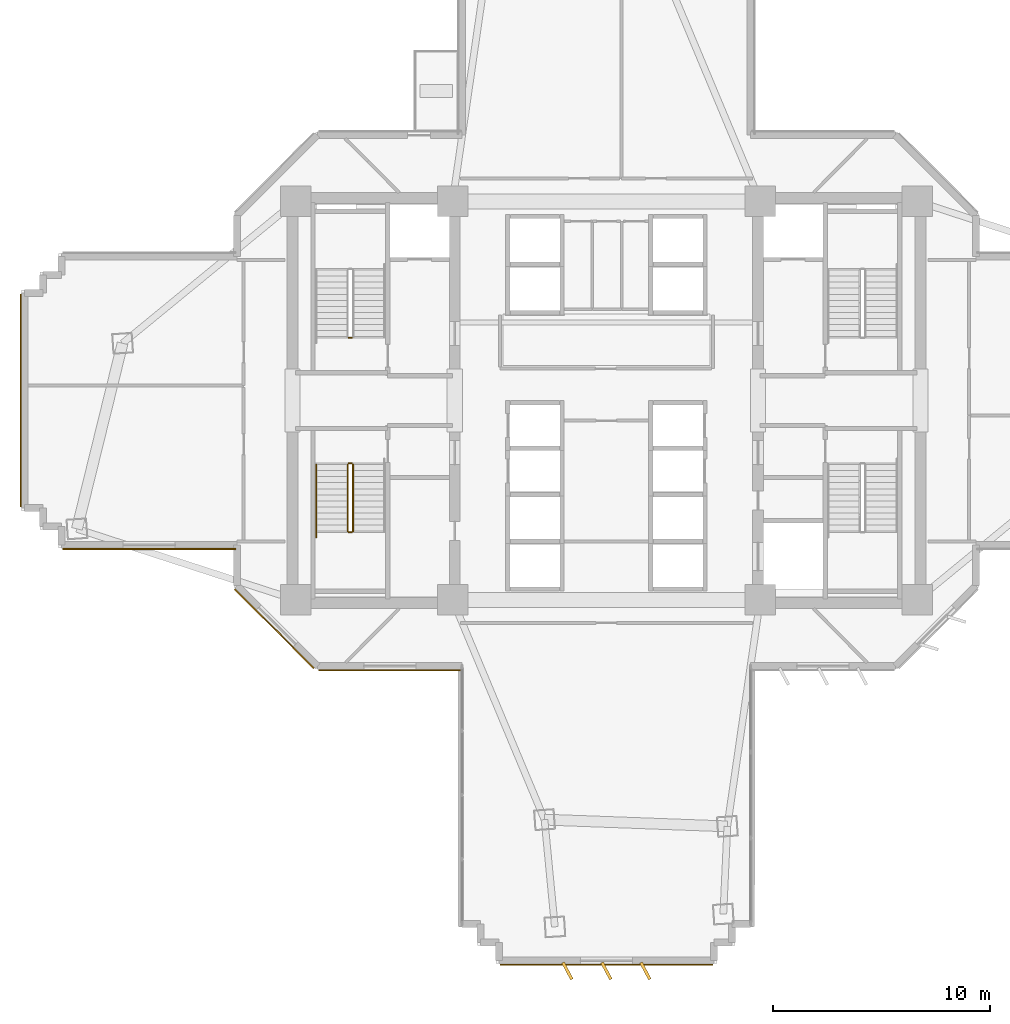
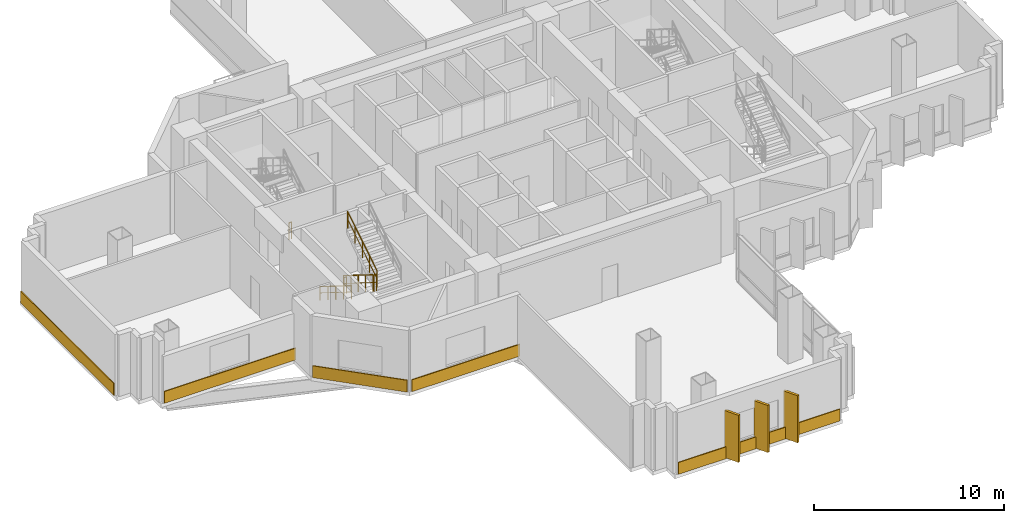
# One storey, part 10 of 14: 6 railings, 5 coverings, 3 shading devices.
"""IFC4 building model written with IfcOpenShell, lengths in metres."""

import ifcopenshell
import ifcopenshell.guid

model = None  # the IFC model being written
_history = None  # IfcOwnerHistory: only IFC2X3 demands one
_inside = {}  # id of a spatial element -> (the spatial element, [elements in it])
_under = {}  # id of a project, library or spatial element -> (it, [spatial elements below it])
_declared = {}  # id of a project -> (the project, [libraries it declares])
_typed = {}  # id of a type object -> (the type object, [elements of that type])
_made_of = {}  # id of a material, layer set ... -> (it, [elements and type objects made of it])


def new_model(schema):
    """Start an empty IFC model of exactly this schema.

    Asked for "IFC4X3", IfcOpenShell would pick the latest addendum, in which some entities
    have other attributes; the version numbers below select the first issue.
    IFC2X3 requires an IfcOwnerHistory on every rooted entity: one is made here for all.
    """
    global model, _history
    if schema == "IFC4X3":
        model = ifcopenshell.file(schema_version=(4, 3, 0, 0))
    else:
        model = ifcopenshell.file(schema=schema)
    _inside.clear()
    _under.clear()
    _declared.clear()
    _typed.clear()
    _made_of.clear()
    _history = None
    if model.schema == "IFC2X3":
        org = make("IfcOrganization", Name="unknown")
        user = make(
            "IfcPersonAndOrganization",
            ThePerson=make("IfcPerson", FamilyName="unknown"),
            TheOrganization=org,
        )
        app = make(
            "IfcApplication",
            ApplicationDeveloper=org,
            Version="unknown",
            ApplicationFullName="unknown",
            ApplicationIdentifier="unknown",
        )
        _history = make(
            "IfcOwnerHistory",
            OwningUser=user,
            OwningApplication=app,
            ChangeAction="ADDED",
            CreationDate=0,
        )
    return model


def make(cls, **values):
    """One entity of the class cls with the attributes given. An attribute that is None is left unset."""
    return model.create_entity(
        cls, **{name: value for name, value in values.items() if value is not None}
    )


def rooted(cls, **values):
    """An entity with a GlobalId (a new one), such as an element, a storey or a relation."""
    return make(cls, GlobalId=ifcopenshell.guid.new(), OwnerHistory=_history, **values)


def si_unit(unit_type, name, prefix=None):
    """IfcSIUnit, for example si_unit("LENGTHUNIT", "METRE", prefix="MILLI")."""
    return make("IfcSIUnit", UnitType=unit_type, Prefix=prefix, Name=name)


def assignment(units):
    """IfcUnitAssignment: the units of a project."""
    return None if units is None else make("IfcUnitAssignment", Units=units)


def point(xyz):
    """IfcCartesianPoint."""
    return None if xyz is None else make("IfcCartesianPoint", Coordinates=xyz)


def direction(xyz):
    """IfcDirection."""
    return None if xyz is None else make("IfcDirection", DirectionRatios=xyz)


def frame(location, z_axis=None, x_axis=None):
    """IfcAxis2Placement3D, a coordinate frame: its origin and axes. An axis left out is left unset."""
    return make(
        "IfcAxis2Placement3D",
        Location=point(location),
        Axis=direction(z_axis),
        RefDirection=direction(x_axis),
    )


def frame_2d(location, x_axis=None):
    """IfcAxis2Placement2D, a coordinate frame in the plane: its origin and x axis."""
    return make(
        "IfcAxis2Placement2D", Location=point(location), RefDirection=direction(x_axis)
    )


def origin():
    """The frame at (0, 0, 0) with its axes left unset."""
    return frame((0.0, 0.0, 0.0))


def origin_2d():
    """The frame at (0, 0) in the plane with its x axis left unset."""
    return frame_2d((0.0, 0.0))


def place(relative_to, where):
    """IfcLocalPlacement: puts the frame where relative to a parent placement (None: the world)."""
    return make(
        "IfcLocalPlacement", PlacementRelTo=relative_to, RelativePlacement=where
    )


def context(
    kind, dimensions, precision=None, world=None, true_north=None, identifier=None
):
    """IfcGeometricRepresentationContext, for example the 3D "Model" context."""
    return make(
        "IfcGeometricRepresentationContext",
        ContextIdentifier=identifier,
        ContextType=kind,
        CoordinateSpaceDimension=dimensions,
        Precision=precision,
        WorldCoordinateSystem=world,
        TrueNorth=true_north,
    )


def subcontext(parent, identifier, kind, view, scale=None):
    """IfcGeometricRepresentationSubContext, for example "Body" below "Model"."""
    return make(
        "IfcGeometricRepresentationSubContext",
        ContextIdentifier=identifier,
        ContextType=kind,
        ParentContext=parent,
        TargetScale=scale,
        TargetView=view,
    )


def project(units=None, contexts=None):
    """IfcProject with its units and contexts."""
    return rooted(
        "IfcProject",
        Name="project",
        RepresentationContexts=contexts,
        UnitsInContext=assignment(units),
    )


def spatial(cls, under=None, at=None, **own):
    """A site, building, storey or space (cls), placed at a placement, below another one or the project."""
    s = rooted(cls, ObjectPlacement=at, **own)
    if under is not None:
        _under.setdefault(under.id(), (under, []))[1].append(s)
    return s


def profile(cls, at=None, kind="AREA", **sizes):
    """A parametric profile (cls). Its sizes go by their IFC names, for example OverallWidth=200.0."""
    return make(cls, ProfileType=kind, Position=at, **sizes)


def rectangle(**sizes):
    """IfcRectangleProfileDef."""
    return profile("IfcRectangleProfileDef", **sizes)


def extrude(swept, where, along, depth):
    """IfcExtrudedAreaSolid: the profile swept, set in the frame where, extruded along a direction by depth."""
    return make(
        "IfcExtrudedAreaSolid",
        SweptArea=swept,
        Position=where,
        ExtrudedDirection=direction(along),
        Depth=depth,
    )


def shape(context_of_items, identifier, shape_type, items):
    """IfcShapeRepresentation: the items that make up one representation, for example the "Body"."""
    return make(
        "IfcShapeRepresentation",
        ContextOfItems=context_of_items,
        RepresentationIdentifier=identifier,
        RepresentationType=shape_type,
        Items=items,
    )


def source(mapping_origin, context_of_items, identifier, shape_type, items):
    """IfcRepresentationMap: a shape defined once, which mapped items show again and again."""
    return make(
        "IfcRepresentationMap",
        MappingOrigin=mapping_origin,
        MappedRepresentation=shape(context_of_items, identifier, shape_type, items),
    )


def transform(
    local_origin,
    x_axis=None,
    y_axis=None,
    z_axis=None,
    scale=None,
    scale2=None,
    scale3=None,
    uniform=True,
):
    """IfcCartesianTransformationOperator3D, or its non-uniform kind. x_axis, y_axis, z_axis: its Axis1, 2, 3."""
    if uniform:
        return make(
            "IfcCartesianTransformationOperator3D",
            Axis1=direction(x_axis),
            Axis2=direction(y_axis),
            LocalOrigin=point(local_origin),
            Scale=scale,
            Axis3=direction(z_axis),
        )
    return make(
        "IfcCartesianTransformationOperator3DnonUniform",
        Axis1=direction(x_axis),
        Axis2=direction(y_axis),
        LocalOrigin=point(local_origin),
        Scale=scale,
        Axis3=direction(z_axis),
        Scale2=scale2,
        Scale3=scale3,
    )


def mapped(mapping_source, mapping_target):
    """IfcMappedItem: shows the shape of a source again, moved by a transform."""
    return make(
        "IfcMappedItem", MappingSource=mapping_source, MappingTarget=mapping_target
    )


def material(Name=None, Category=None):
    """IfcMaterial."""
    return make("IfcMaterial", Name=Name, Category=Category)


def layer(
    of_material, thickness, ventilated=None, Name=None, Category=None, Priority=None
):
    """IfcMaterialLayer: one layer of a wall or slab, of a material (None: an air gap)."""
    return make(
        "IfcMaterialLayer",
        Material=of_material,
        LayerThickness=thickness,
        IsVentilated=ventilated,
        Name=Name,
        Category=Category,
        Priority=Priority,
    )


def layer_set(layers, Name=None):
    """IfcMaterialLayerSet."""
    return make("IfcMaterialLayerSet", MaterialLayers=layers, LayerSetName=Name)


def made_of(thing, what):
    """Note that an element or type object is made of a material, layer set ...; save() writes the relation."""
    if what is not None:
        _made_of.setdefault(what.id(), (what, []))[1].append(thing)
    return thing


def type_object(cls, material=None, **own):
    """A type object (cls), such as IfcWallType, which elements share."""
    return made_of(rooted(cls, **own), material)


def element(
    cls,
    number,
    at=None,
    inside=None,
    cuts=None,
    type_object=None,
    material=None,
    context=None,
    identifier="Body",
    shape_type=None,
    held_by="IfcProductDefinitionShape",
    body=None,
    shapes=None,
    **own,
):
    """One element of the class cls, such as IfcWall. Its Tag is "e" and its number.

    at: its placement. inside: the storey or other place that contains it. cuts: it is an
    opening in that element (IfcRelVoidsElement). A single representation is given by context,
    identifier, shape_type and body (its items); several are given by shapes. held_by: the class
    of the entity that holds the representations. save() writes the other relations.
    """
    e = rooted(cls, Tag="e%d" % number, ObjectPlacement=at, **own)
    if body is not None:
        shapes = [shape(context, identifier, shape_type, body)]
    if shapes is not None:
        e.Representation = make(held_by, Representations=shapes)
    if inside is not None:
        _inside.setdefault(inside.id(), (inside, []))[1].append(e)
    if cuts is not None:
        rooted(
            "IfcRelVoidsElement", RelatingBuildingElement=cuts, RelatedOpeningElement=e
        )
    if type_object is not None:
        _typed.setdefault(type_object.id(), (type_object, []))[1].append(e)
    return made_of(e, material)


def aggregate(whole, parts):
    """IfcRelAggregates: a whole, such as a stair, and the parts it consists of."""
    return rooted("IfcRelAggregates", RelatingObject=whole, RelatedObjects=parts)


def save(model, path):
    """Write the relations noted so far, then the file.

    IfcRelAggregates (storeys below a building ...), IfcRelContainedInSpatialStructure (elements
    in a storey), IfcRelDefinesByType, IfcRelAssociatesMaterial and IfcRelDeclares: one each for
    every whole, place, type object, material and project.
    """
    for whole, parts in _under.values():
        aggregate(whole, parts)
    for where, things in _inside.values():
        rooted(
            "IfcRelContainedInSpatialStructure",
            RelatedElements=things,
            RelatingStructure=where,
        )
    for kind, things in _typed.values():
        rooted("IfcRelDefinesByType", RelatedObjects=things, RelatingType=kind)
    for what, things in _made_of.values():
        rooted("IfcRelAssociatesMaterial", RelatedObjects=things, RelatingMaterial=what)
    for by, libraries in _declared.values():
        rooted("IfcRelDeclares", RelatingContext=by, RelatedDefinitions=libraries)
    model.write(path)


model = new_model("IFC4")

# Units and contexts
model_context = context("Model", 3, precision=1e-05, world=origin(), true_north=direction((0.0, 1.0)))
body_context = subcontext(model_context, "Body", "Model", "MODEL_VIEW")
ifc_project = project(units=[si_unit("LENGTHUNIT", "METRE"), si_unit("AREAUNIT", "SQUARE_METRE"), si_unit("VOLUMEUNIT", "CUBIC_METRE"), si_unit("PLANEANGLEUNIT", "RADIAN"), si_unit("MASSUNIT", "GRAM", prefix="KILO")], contexts=[model_context])

# Site, building, storey
site_placement = place(None, origin())
site = spatial("IfcSite", under=ifc_project, at=site_placement, CompositionType="ELEMENT")
building_placement = place(site_placement, origin())
building = spatial("IfcBuilding", under=site, at=building_placement, Name="Zahravan Cultural Tower", CompositionType="ELEMENT")
storey_placement = place(building_placement, frame((0.0, 0.0, 33.300048828125)))
storey = spatial("IfcBuildingStorey", under=building, at=storey_placement, Name="L06", CompositionType="ELEMENT", Elevation=33.300048828125)

# Railings
ifc_material_1 = material(Name="Steel ASTM A572 Grade 50", Category="steel")
railing_type_1 = type_object("IfcRailingType", Name="RL-STAIR-GRD1150", PredefinedType="BALUSTRADE", material=ifc_material_1)
railing_1_placement = place(storey_placement, frame((24.25, 29.89990234375, 0.0)))
element("IfcRailing", 1, at=railing_1_placement, inside=storey, type_object=railing_type_1, Name="L06 ST-W1 stair guard 4", PredefinedType="BALUSTRADE", context=body_context, shape_type="SweptSolid", body=[
    extrude(rectangle(XDim=0.05, YDim=0.05, at=origin_2d()), frame((0.0, 0.0, 1.0751953125), z_axis=(-1.0, 0.0, 0.0), x_axis=(0.0, -1.0, 0.0)), (0.0, 0.0, 1.0), 0.14990234375),
    extrude(rectangle(XDim=0.032, YDim=0.032, at=origin_2d()), frame((0.0, 0.0, 0.572021484375), z_axis=(-1.0, 0.0, 0.0), x_axis=(0.0, -1.0, 0.0)), (0.0, 0.0, 1.0), 0.14990234375),
    extrude(rectangle(XDim=0.04, YDim=0.04, at=origin_2d()), origin(), (0.0, 0.0, 1.0), 1.10009765625),
    extrude(rectangle(XDim=0.04, YDim=0.04, at=origin_2d()), frame((-0.14990234375, 0.0, 0.0)), (0.0, 0.0, 1.0), 1.10009765625),
])
railing_2_placement = place(storey_placement, frame((24.050048828125, 24.050048828125, 0.175048828125)))
element("IfcRailing", 2, at=railing_2_placement, inside=storey, type_object=railing_type_1, Name="L06 ST-W2 stair guard 1", PredefinedType="BALUSTRADE", context=body_context, shape_type="SweptSolid", body=[
    extrude(rectangle(XDim=0.05, YDim=0.05, at=origin_2d()), frame((0.0, 0.0, 1.0751953125), z_axis=(0.0, -0.848028513186, 0.529950602248), x_axis=(1.0, 0.0, 0.0)), (0.0, 0.0, 1.0), 3.632080078125),
    extrude(rectangle(XDim=0.032, YDim=0.032, at=origin_2d()), frame((0.0, 0.0, 0.572021484375), z_axis=(0.0, -0.848028513186, 0.529950602248), x_axis=(1.0, 0.0, 0.0)), (0.0, 0.0, 1.0), 3.632080078125),
    extrude(rectangle(XDim=0.04, YDim=0.04, at=origin_2d()), origin(), (0.0, 0.0, 1.0), 1.10009765625),
    extrude(rectangle(XDim=0.04, YDim=0.04, at=origin_2d()), frame((0.0, -0.77001953125, 0.481201171875)), (0.0, 0.0, 1.0), 1.10009765625),
    extrude(rectangle(XDim=0.04, YDim=0.04, at=origin_2d()), frame((0.0, -1.5400390625, 0.96240234375)), (0.0, 0.0, 1.0), 1.10009765625),
    extrude(rectangle(XDim=0.04, YDim=0.04, at=origin_2d()), frame((0.0, -2.31005859375, 1.443603515625)), (0.0, 0.0, 1.0), 1.10009765625),
    extrude(rectangle(XDim=0.04, YDim=0.04, at=origin_2d()), frame((0.0, -3.080078125, 1.9248046875)), (0.0, 0.0, 1.0), 1.10009765625),
])
railing_3_placement = place(storey_placement, frame((24.10009765625, 20.919921875, 2.099853515625)))
element("IfcRailing", 3, at=railing_3_placement, inside=storey, type_object=railing_type_1, Name="L06 ST-W2 stair guard 2", PredefinedType="BALUSTRADE", context=body_context, shape_type="SweptSolid", body=[
    extrude(rectangle(XDim=0.05, YDim=0.05, at=origin_2d()), frame((0.0, 0.0, 1.0751953125), z_axis=(1.0, 0.0, 0.0), x_axis=(0.0, 1.0, 0.0)), (0.0, 0.0, 1.0), 0.14990234375),
    extrude(rectangle(XDim=0.032, YDim=0.032, at=origin_2d()), frame((0.0, 0.0, 0.572021484375), z_axis=(1.0, 0.0, 0.0), x_axis=(0.0, 1.0, 0.0)), (0.0, 0.0, 1.0), 0.14990234375),
    extrude(rectangle(XDim=0.04, YDim=0.04, at=origin_2d()), origin(), (0.0, 0.0, 1.0), 1.10009765625),
    extrude(rectangle(XDim=0.04, YDim=0.04, at=origin_2d()), frame((0.14990234375, 0.0, 0.0)), (0.0, 0.0, 1.0), 1.10009765625),
])
railing_4_placement = place(storey_placement, frame((24.300048828125, 20.969970703125, 2.27490234375)))
element("IfcRailing", 4, at=railing_4_placement, inside=storey, type_object=railing_type_1, Name="L06 ST-W2 stair guard 3", PredefinedType="BALUSTRADE", context=body_context, shape_type="SweptSolid", body=[
    extrude(rectangle(XDim=0.05, YDim=0.05, at=origin_2d()), frame((0.0, 0.0, 1.0751953125), z_axis=(0.0, 0.847998304005, 0.529998940003), x_axis=(-1.0, 0.0, 0.0)), (0.0, 0.0, 1.0), 3.632080078125),
    extrude(rectangle(XDim=0.032, YDim=0.032, at=origin_2d()), frame((0.0, 0.0, 0.572021484375), z_axis=(0.0, 0.847998304005, 0.529998940003), x_axis=(-1.0, 0.0, 0.0)), (0.0, 0.0, 1.0), 3.632080078125),
    extrude(rectangle(XDim=0.04, YDim=0.04, at=origin_2d()), origin(), (0.0, 0.0, 1.0), 1.10009765625),
    extrude(rectangle(XDim=0.04, YDim=0.04, at=origin_2d()), frame((0.0, 0.77001953125, 0.481201171875)), (0.0, 0.0, 1.0), 1.10009765625),
    extrude(rectangle(XDim=0.04, YDim=0.04, at=origin_2d()), frame((0.0, 1.5400390625, 0.96240234375)), (0.0, 0.0, 1.0), 1.10009765625),
    extrude(rectangle(XDim=0.04, YDim=0.04, at=origin_2d()), frame((0.0, 2.31005859375, 1.44384765625)), (0.0, 0.0, 1.0), 1.10009765625),
    extrude(rectangle(XDim=0.04, YDim=0.04, at=origin_2d()), frame((0.0, 3.080078125, 1.925048828125)), (0.0, 0.0, 1.0), 1.10009765625),
])
railing_5_placement = place(storey_placement, frame((24.10009765625, 24.10009765625, 0.0)))
element("IfcRailing", 5, at=railing_5_placement, inside=storey, type_object=railing_type_1, Name="L06 ST-W2 stair guard 4", PredefinedType="BALUSTRADE", context=body_context, shape_type="SweptSolid", body=[
    extrude(rectangle(XDim=0.05, YDim=0.05, at=origin_2d()), frame((0.0, 0.0, 1.0751953125), z_axis=(1.0, 0.0, 0.0), x_axis=(0.0, 1.0, 0.0)), (0.0, 0.0, 1.0), 0.14990234375),
    extrude(rectangle(XDim=0.032, YDim=0.032, at=origin_2d()), frame((0.0, 0.0, 0.572021484375), z_axis=(1.0, 0.0, 0.0), x_axis=(0.0, 1.0, 0.0)), (0.0, 0.0, 1.0), 0.14990234375),
    extrude(rectangle(XDim=0.04, YDim=0.04, at=origin_2d()), origin(), (0.0, 0.0, 1.0), 1.10009765625),
    extrude(rectangle(XDim=0.04, YDim=0.04, at=origin_2d()), frame((0.14990234375, 0.0, 0.0)), (0.0, 0.0, 1.0), 1.10009765625),
])
railing_type_2 = type_object("IfcRailingType", Name="RL-STAIR-HR900", PredefinedType="HANDRAIL", material=ifc_material_1)
railing_6_placement = place(storey_placement, frame((22.60009765625, 24.050048828125, 0.175048828125)))
element("IfcRailing", 6, at=railing_6_placement, inside=storey, type_object=railing_type_2, Name="L06 ST-W2 stair handrail 1", PredefinedType="HANDRAIL", context=body_context, shape_type="SweptSolid", body=[
    extrude(rectangle(XDim=0.05, YDim=0.05, at=origin_2d()), frame((0.0, 0.0, 0.875), z_axis=(0.0, -0.848022534174, 0.529960169762), x_axis=(1.0, 0.0, 0.0)), (0.0, 0.0, 1.0), 3.96240234375),
    extrude(rectangle(XDim=0.032, YDim=0.032, at=origin_2d()), frame((0.0, 0.0, 0.468017578125), z_axis=(0.0, -0.848022534174, 0.529960169762), x_axis=(1.0, 0.0, 0.0)), (0.0, 0.0, 1.0), 3.96240234375),
    extrude(rectangle(XDim=0.04, YDim=0.04, at=origin_2d()), origin(), (0.0, 0.0, 1.0), 0.89990234375),
    extrude(rectangle(XDim=0.04, YDim=0.04, at=origin_2d()), frame((0.0, -0.840087890625, 0.52490234375)), (0.0, 0.0, 1.0), 0.89990234375),
    extrude(rectangle(XDim=0.04, YDim=0.04, at=origin_2d()), frame((0.0, -1.68017578125, 1.0498046875)), (0.0, 0.0, 1.0), 0.89990234375),
    extrude(rectangle(XDim=0.04, YDim=0.04, at=origin_2d()), frame((0.0, -2.52001953125, 1.574951171875)), (0.0, 0.0, 1.0), 0.89990234375),
    extrude(rectangle(XDim=0.04, YDim=0.04, at=origin_2d()), frame((0.0, -3.360107421875, 2.099853515625)), (0.0, 0.0, 1.0), 0.89990234375),
])

# Covering
ifc_material_2 = material(Name="Terracotta ceramic cladding", Category="masonry")
ifc_layer = layer(ifc_material_2, 0.06005859375)
ifc_layer_set = layer_set([ifc_layer], Name="Terracotta ceramic cladding")
covering_type = type_object("IfcCoveringType", Name="COV-CLAD-TC60", PredefinedType="CLADDING", material=ifc_layer_set)
shared_shape_1 = source(origin(), body_context, "Body", "SweptSolid", [
    extrude(rectangle(XDim=8.0, YDim=0.06005859375, at=origin_2d()), origin(), (0.0, 0.0, 1.0), 0.760009765625),
])
covering_1_placement = place(storey_placement, frame((14.889892578125, 20.155029296875, 0.02001953125), z_axis=(0.0, 0.0, 1.0), x_axis=(-1.0, 0.0, 0.0)))
element("IfcCovering", 7, at=covering_1_placement, inside=storey, type_object=covering_type, Name="L06 Terracotta Spandrel Cladding 27", PredefinedType="CLADDING", context=body_context, shape_type="MappedRepresentation", body=[
    mapped(shared_shape_1, transform((0.0, 0.0, 0.0), x_axis=(1.0, 0.0, 0.0), y_axis=(0.0, 1.0, 0.0), z_axis=(0.0, 0.0, 1.0), scale=1.0)),
])

# Shading devices
ifc_material_3 = material(Name="Architectural terracotta fin", Category="masonry")
shading_device_type = type_object("IfcShadingDeviceType", Name="SHD-FIN-880", PredefinedType="USERDEFINED", material=ifc_material_3)
shared_shape_2 = source(origin(), body_context, "Body", "SweptSolid", [
    extrude(rectangle(XDim=0.8798828125, YDim=0.139892578125, at=origin_2d()), origin(), (0.0, 0.0, 1.0), 3.030029296875),
])
for number, where, z_axis, x_axis, name in (
    (8, (37.800048828125, 0.669921875, 0.0498046875), (0.0, 0.0, 1.0), (0.469471562786, -0.882947592859, 0.0), "L06 Herringbone Terracotta Fin 15"),
    (9, (36.0, 0.669921875, 0.0498046875), (0.0, 0.0, 1.0), (0.469471562786, -0.882947592859, 0.0), "L06 Herringbone Terracotta Fin 16"),
    (10, (34.199951171875, 0.669921875, 0.0498046875), (0.0, 0.0, 1.0), (0.469471562786, -0.882947592859, 0.0), "L06 Herringbone Terracotta Fin 17"),
):
    element("IfcShadingDevice", number, at=place(storey_placement, frame(where, z_axis=z_axis, x_axis=x_axis)), inside=storey, type_object=shading_device_type, Name=name, ObjectType="FIN", PredefinedType="USERDEFINED", context=body_context, shape_type="MappedRepresentation", body=[
        mapped(shared_shape_2, transform((0.0, 0.0, 0.0), x_axis=(1.0, 0.0, 0.0), y_axis=(0.0, 1.0, 0.0), z_axis=(0.0, 0.0, 1.0), scale=1.0)),
    ])

# Coverings
shared_shape_3 = source(origin(), body_context, "Body", "SweptSolid", [
    extrude(rectangle(XDim=9.820068359375, YDim=0.06005859375, at=origin_2d()), origin(), (0.0, 0.0, 1.0), 0.760009765625),
])
for number, where, z_axis, x_axis, name in (
    (11, (36.0, 0.955078125, 0.02001953125), (0.0, 0.0, 1.0), (-1.0, 0.0, 0.0), "L06 Terracotta Spandrel Cladding 19"),
    (12, (8.955078125, 27.0, 0.02001953125), (0.0, 0.0, 1.0), (0.0, 1.0, 0.0), "L06 Terracotta Spandrel Cladding 32"),
):
    element("IfcCovering", number, at=place(storey_placement, frame(where, z_axis=z_axis, x_axis=x_axis)), inside=storey, type_object=covering_type, Name=name, PredefinedType="CLADDING", context=body_context, shape_type="MappedRepresentation", body=[
        mapped(shared_shape_3, transform((0.0, 0.0, 0.0), x_axis=(1.0, 0.0, 0.0), y_axis=(0.0, 1.0, 0.0), z_axis=(0.0, 0.0, 1.0), scale=1.0)),
    ])
shared_shape_4 = source(origin(), body_context, "Body", "SweptSolid", [
    extrude(rectangle(XDim=5.157958984375, YDim=0.06005859375, at=origin_2d()), origin(), (0.0, 0.0, 1.0), 0.760009765625),
])
covering_2_placement = place(storey_placement, frame((20.668212890625, 16.46826171875, 0.02001953125), z_axis=(0.0, 0.0, 1.0), x_axis=(-0.707106781187, 0.707106781187, 0.0)))
element("IfcCovering", 13, at=covering_2_placement, inside=storey, type_object=covering_type, Name="L06 Terracotta Spandrel Cladding 25", PredefinedType="CLADDING", context=body_context, shape_type="MappedRepresentation", body=[
    mapped(shared_shape_4, transform((0.0, 0.0, 0.0), x_axis=(1.0, 0.0, 0.0), y_axis=(0.0, 1.0, 0.0), z_axis=(0.0, 0.0, 1.0), scale=1.0)),
])
shared_shape_5 = source(origin(), body_context, "Body", "SweptSolid", [
    extrude(rectangle(XDim=6.58203125, YDim=0.06005859375, at=origin_2d()), origin(), (0.0, 0.0, 1.0), 0.760009765625),
])
covering_3_placement = place(storey_placement, frame((25.9990234375, 14.554931640625, 0.02001953125), z_axis=(0.0, 0.0, 1.0), x_axis=(-1.0, 0.0, 0.0)))
element("IfcCovering", 14, at=covering_3_placement, inside=storey, type_object=covering_type, Name="L06 Terracotta Spandrel Cladding 24", PredefinedType="CLADDING", context=body_context, shape_type="MappedRepresentation", body=[
    mapped(shared_shape_5, transform((0.0, 0.0, 0.0), x_axis=(1.0, 0.0, 0.0), y_axis=(0.0, 1.0, 0.0), z_axis=(0.0, 0.0, 1.0), scale=1.0)),
])

save(model, "model.ifc")
